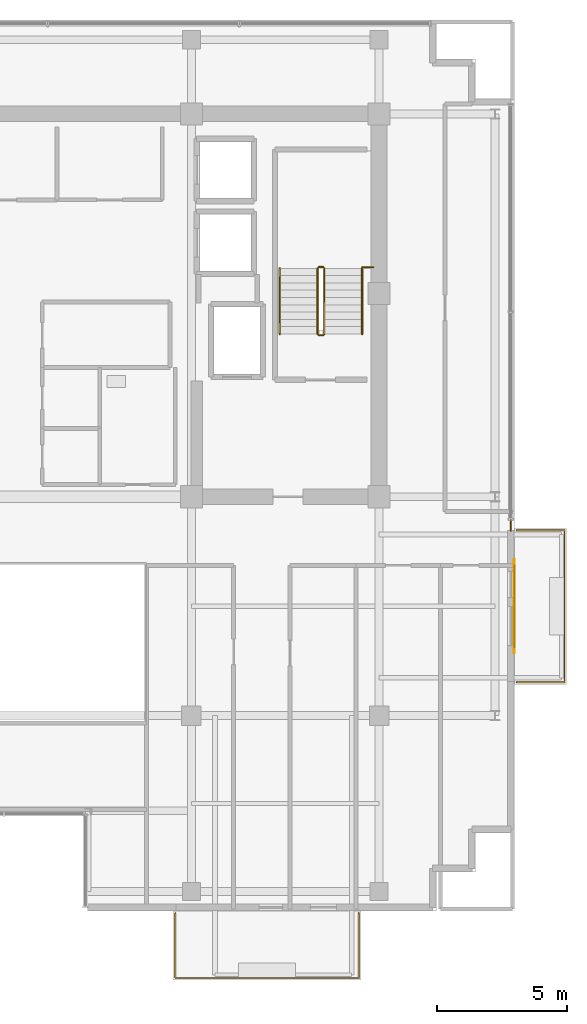
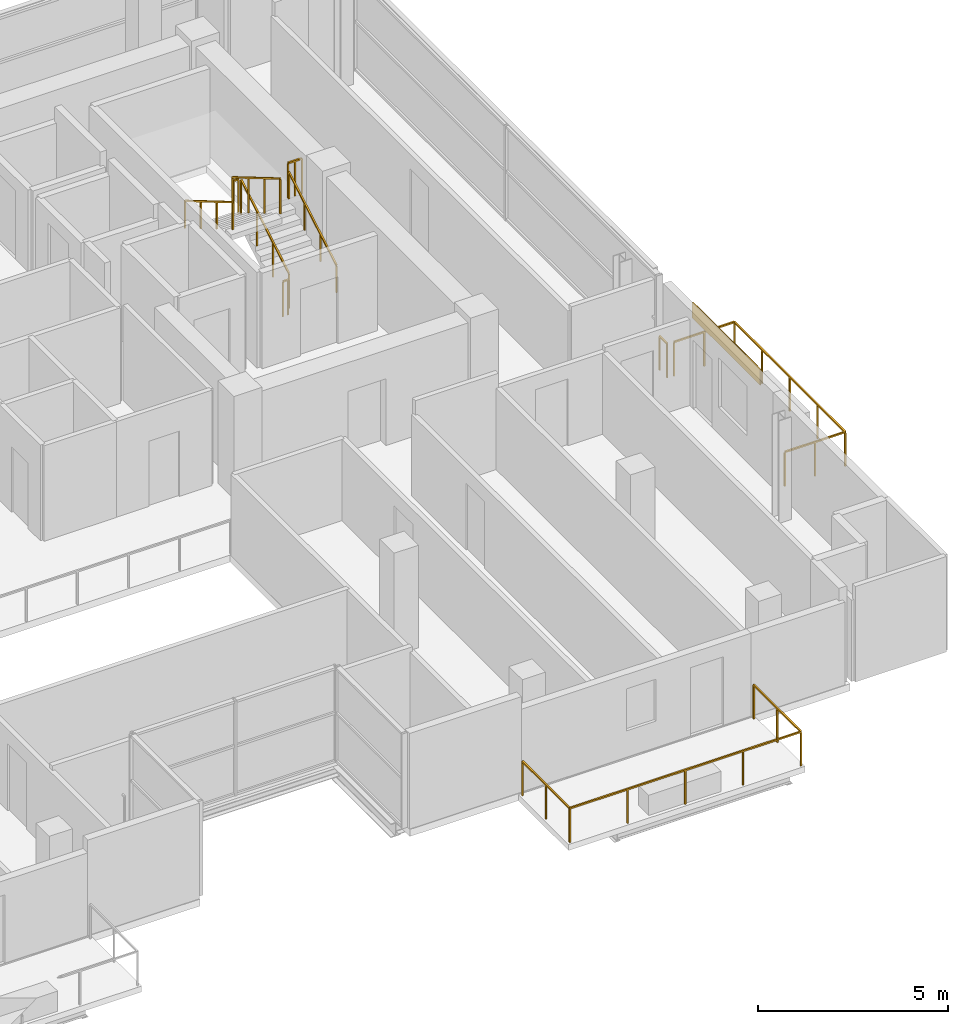
# One storey, part 21 of 22: 10 railings, 1 covering, 1 shading device.
"""IFC4 building model written with IfcOpenShell, lengths in metres."""

from ifc_helpers import new_model, si_unit, direction, frame, origin, origin_2d, place, context, subcontext, project, spatial, rectangle, extrude, source, transform, mapped, material, layer, layer_set, type_object, element, save


model = new_model("IFC4")

# Units and contexts
model_context = context("Model", 3, precision=1e-05, world=origin(), true_north=direction((0.0, 1.0)))
body_context = subcontext(model_context, "Body", "Model", "MODEL_VIEW")
ifc_project = project(units=[si_unit("LENGTHUNIT", "METRE"), si_unit("AREAUNIT", "SQUARE_METRE"), si_unit("VOLUMEUNIT", "CUBIC_METRE"), si_unit("PLANEANGLEUNIT", "RADIAN"), si_unit("MASSUNIT", "GRAM", prefix="KILO")], contexts=[model_context])

# Site, building, storey
site_placement = place(None, origin())
site = spatial("IfcSite", under=ifc_project, at=site_placement, CompositionType="ELEMENT")
building_placement = place(site_placement, origin())
building = spatial("IfcBuilding", under=site, at=building_placement, Name="Zarnakvel Exchange Tower", CompositionType="ELEMENT")
storey_placement = place(building_placement, frame((0.0, 0.0, 225.39990234375)))
storey = spatial("IfcBuildingStorey", under=building, at=storey_placement, Name="L63", CompositionType="ELEMENT", Elevation=225.39990234375)

# Railings
ifc_material_1 = material(Name="Architectural Bronze Anodised Aluminium", Category="aluminium")
railing_type_1 = type_object("IfcRailingType", Name="GR-02", PredefinedType="GUARDRAIL", material=ifc_material_1)
railing_1_placement = place(storey_placement, frame((6.580078125, -17.179931640625, -0.034912109375)))
element("IfcRailing", 1, at=railing_1_placement, inside=storey, type_object=railing_type_1, Name="L63 Balcony Guardrail BAL-L63-SE", PredefinedType="GUARDRAIL", context=body_context, shape_type="SweptSolid", body=[
    extrude(rectangle(XDim=0.048095703125, YDim=0.048095703125, at=origin_2d()), frame((0.0, 0.0, 1.09619140625), z_axis=(0.0, -1.0, 0.0), x_axis=(1.0, 0.0, 0.0)), (0.0, 0.0, 1.0), 2.489990234375),
    extrude(rectangle(XDim=0.048095703125, YDim=0.048095703125, at=origin_2d()), frame((0.0, -2.489990234375, 1.09619140625), z_axis=(1.0, 0.0, 0.0), x_axis=(0.0, 1.0, 0.0)), (0.0, 0.0, 1.0), 7.0400390625),
    extrude(rectangle(XDim=0.048095703125, YDim=0.048095703125, at=origin_2d()), frame((7.0400390625, -2.489990234375, 1.09619140625), z_axis=(0.0, 1.0, 0.0), x_axis=(-1.0, 0.0, 0.0)), (0.0, 0.0, 1.0), 2.489990234375),
    extrude(rectangle(XDim=0.0419921875, YDim=0.0419921875, at=origin_2d()), origin(), (0.0, 0.0, 1.0), 1.072021484375),
    extrude(rectangle(XDim=0.0419921875, YDim=0.0419921875, at=origin_2d()), frame((0.0, -1.2451171875, 0.0)), (0.0, 0.0, 1.0), 1.072021484375),
    extrude(rectangle(XDim=0.0419921875, YDim=0.0419921875, at=origin_2d()), frame((0.0, -2.489990234375, 0.0)), (0.0, 0.0, 1.0), 1.072021484375),
    extrude(rectangle(XDim=0.0419921875, YDim=0.0419921875, at=origin_2d()), frame((1.760009765625, -2.489990234375, 0.0)), (0.0, 0.0, 1.0), 1.072021484375),
    extrude(rectangle(XDim=0.0419921875, YDim=0.0419921875, at=origin_2d()), frame((3.52001953125, -2.489990234375, 0.0)), (0.0, 0.0, 1.0), 1.072021484375),
    extrude(rectangle(XDim=0.0419921875, YDim=0.0419921875, at=origin_2d()), frame((5.280029296875, -2.489990234375, 0.0)), (0.0, 0.0, 1.0), 1.072021484375),
    extrude(rectangle(XDim=0.0419921875, YDim=0.0419921875, at=origin_2d()), frame((7.0400390625, -2.489990234375, 0.0)), (0.0, 0.0, 1.0), 1.072021484375),
    extrude(rectangle(XDim=0.0419921875, YDim=0.0419921875, at=origin_2d()), frame((7.0400390625, -1.2451171875, 0.0)), (0.0, 0.0, 1.0), 1.072021484375),
    extrude(rectangle(XDim=0.0419921875, YDim=0.0419921875, at=origin_2d()), frame((7.0400390625, 0.0, 0.0)), (0.0, 0.0, 1.0), 1.072021484375),
])
railing_2_placement = place(storey_placement, frame((19.679931640625, -8.320068359375, -0.034912109375)))
element("IfcRailing", 2, at=railing_2_placement, inside=storey, type_object=railing_type_1, Name="L63 Balcony Guardrail BAL-L63-E", PredefinedType="GUARDRAIL", context=body_context, shape_type="SweptSolid", body=[
    extrude(rectangle(XDim=0.048095703125, YDim=0.048095703125, at=origin_2d()), frame((0.0, 0.0, 1.09619140625), z_axis=(1.0, 0.0, 0.0), x_axis=(0.0, 1.0, 0.0)), (0.0, 0.0, 1.0), 1.840087890625),
    extrude(rectangle(XDim=0.048095703125, YDim=0.048095703125, at=origin_2d()), frame((1.840087890625, 0.0, 1.09619140625), z_axis=(0.0, 1.0, 0.0), x_axis=(-1.0, 0.0, 0.0)), (0.0, 0.0, 1.0), 5.840087890625),
    extrude(rectangle(XDim=0.048095703125, YDim=0.048095703125, at=origin_2d()), frame((1.840087890625, 5.840087890625, 1.09619140625), z_axis=(-1.0, 0.0, 0.0), x_axis=(0.0, -1.0, 0.0)), (0.0, 0.0, 1.0), 1.840087890625),
    extrude(rectangle(XDim=0.0419921875, YDim=0.0419921875, at=origin_2d()), origin(), (0.0, 0.0, 1.0), 1.072021484375),
    extrude(rectangle(XDim=0.0419921875, YDim=0.0419921875, at=origin_2d()), frame((0.919921875, 0.0, 0.0)), (0.0, 0.0, 1.0), 1.072021484375),
    extrude(rectangle(XDim=0.0419921875, YDim=0.0419921875, at=origin_2d()), frame((1.840087890625, 0.0, 0.0)), (0.0, 0.0, 1.0), 1.072021484375),
    extrude(rectangle(XDim=0.0419921875, YDim=0.0419921875, at=origin_2d()), frame((1.840087890625, 1.4599609375, 0.0)), (0.0, 0.0, 1.0), 1.072021484375),
    extrude(rectangle(XDim=0.0419921875, YDim=0.0419921875, at=origin_2d()), frame((1.840087890625, 2.919921875, 0.0)), (0.0, 0.0, 1.0), 1.072021484375),
    extrude(rectangle(XDim=0.0419921875, YDim=0.0419921875, at=origin_2d()), frame((1.840087890625, 4.380126953125, 0.0)), (0.0, 0.0, 1.0), 1.072021484375),
    extrude(rectangle(XDim=0.0419921875, YDim=0.0419921875, at=origin_2d()), frame((1.840087890625, 5.840087890625, 0.0)), (0.0, 0.0, 1.0), 1.072021484375),
    extrude(rectangle(XDim=0.0419921875, YDim=0.0419921875, at=origin_2d()), frame((0.919921875, 5.840087890625, 0.0)), (0.0, 0.0, 1.0), 1.072021484375),
    extrude(rectangle(XDim=0.0419921875, YDim=0.0419921875, at=origin_2d()), frame((0.0, 5.840087890625, 0.0)), (0.0, 0.0, 1.0), 1.072021484375),
])
railing_3_placement = place(storey_placement, frame((19.4599609375, -2.10009765625, 0.0)))
element("IfcRailing", 3, at=railing_3_placement, inside=storey, type_object=railing_type_1, Name="L63 Corner Spandrel Balustrade #9", PredefinedType="GUARDRAIL", context=body_context, shape_type="SweptSolid", body=[
    extrude(rectangle(XDim=0.048095703125, YDim=0.048095703125, at=origin_2d()), frame((0.0, 0.0, 1.09619140625), z_axis=(0.0, -1.0, 0.0), x_axis=(1.0, 0.0, 0.0)), (0.0, 0.0, 1.0), 0.39990234375),
    extrude(rectangle(XDim=0.0419921875, YDim=0.0419921875, at=origin_2d()), origin(), (0.0, 0.0, 1.0), 1.072021484375),
    extrude(rectangle(XDim=0.0419921875, YDim=0.0419921875, at=origin_2d()), frame((0.0, -0.39990234375, 0.0)), (0.0, 0.0, 1.0), 1.072021484375),
])
ifc_material_2 = material(Name="Brushed Stainless Steel", Category="steel")
railing_type_2 = type_object("IfcRailingType", Name="HR-01", PredefinedType="HANDRAIL", material=ifc_material_2)
railing_4_placement = place(storey_placement, frame((13.75, 5.050048828125, 0.1650390625)))
element("IfcRailing", 4, at=railing_4_placement, inside=storey, type_object=railing_type_2, Name="L63 ST-02 stair handrail 1", PredefinedType="HANDRAIL", context=body_context, shape_type="SweptSolid", body=[
    extrude(rectangle(XDim=0.048095703125, YDim=0.048095703125, at=origin_2d()), frame((0.0, 0.0, 0.8759765625), z_axis=(0.0, 0.86152411907, 0.507716645641), x_axis=(-1.0, 0.0, 0.0)), (0.0, 0.0, 1.0), 2.925048828125),
    extrude(rectangle(XDim=0.0419921875, YDim=0.0419921875, at=origin_2d()), origin(), (0.0, 0.0, 1.0), 0.851806640625),
    extrude(rectangle(XDim=0.0419921875, YDim=0.0419921875, at=origin_2d()), frame((0.0, 0.840087890625, 0.4951171875)), (0.0, 0.0, 1.0), 0.851806640625),
    extrude(rectangle(XDim=0.0419921875, YDim=0.0419921875, at=origin_2d()), frame((0.0, 1.679931640625, 0.989990234375)), (0.0, 0.0, 1.0), 0.851806640625),
    extrude(rectangle(XDim=0.0419921875, YDim=0.0419921875, at=origin_2d()), frame((0.0, 2.52001953125, 1.485107421875)), (0.0, 0.0, 1.0), 0.851806640625),
])
railing_5_placement = place(storey_placement, frame((10.590087890625, 7.570068359375, 1.815185546875)))
element("IfcRailing", 5, at=railing_5_placement, inside=storey, type_object=railing_type_2, Name="L63 ST-02 stair handrail 2", PredefinedType="HANDRAIL", context=body_context, shape_type="SweptSolid", body=[
    extrude(rectangle(XDim=0.048095703125, YDim=0.048095703125, at=origin_2d()), frame((0.0, 0.0, 0.8759765625), z_axis=(0.0, -0.861560626758, 0.507654692109), x_axis=(1.0, 0.0, 0.0)), (0.0, 0.0, 1.0), 2.925048828125),
    extrude(rectangle(XDim=0.0419921875, YDim=0.0419921875, at=origin_2d()), origin(), (0.0, 0.0, 1.0), 0.851806640625),
    extrude(rectangle(XDim=0.0419921875, YDim=0.0419921875, at=origin_2d()), frame((0.0, -0.840087890625, 0.494873046875)), (0.0, 0.0, 1.0), 0.851806640625),
    extrude(rectangle(XDim=0.0419921875, YDim=0.0419921875, at=origin_2d()), frame((0.0, -1.679931640625, 0.989990234375)), (0.0, 0.0, 1.0), 0.851806640625),
    extrude(rectangle(XDim=0.0419921875, YDim=0.0419921875, at=origin_2d()), frame((0.0, -2.52001953125, 1.48486328125)), (0.0, 0.0, 1.0), 0.851806640625),
])
railing_type_3 = type_object("IfcRailingType", Name="SG-01", PredefinedType="GUARDRAIL", material=ifc_material_1)
railing_6_placement = place(storey_placement, frame((12.300048828125, 5.050048828125, 0.1650390625)))
element("IfcRailing", 6, at=railing_6_placement, inside=storey, type_object=railing_type_3, Name="L63 ST-02 stair guard 1", PredefinedType="GUARDRAIL", context=body_context, shape_type="SweptSolid", body=[
    extrude(rectangle(XDim=0.048095703125, YDim=0.048095703125, at=origin_2d()), frame((0.0, 0.0, 1.1259765625), z_axis=(0.0, 0.86152411907, 0.507716645641), x_axis=(-1.0, 0.0, 0.0)), (0.0, 0.0, 1.0), 2.925048828125),
    extrude(rectangle(XDim=0.0419921875, YDim=0.0419921875, at=origin_2d()), origin(), (0.0, 0.0, 1.0), 1.101806640625),
    extrude(rectangle(XDim=0.0419921875, YDim=0.0419921875, at=origin_2d()), frame((0.0, 0.840087890625, 0.4951171875)), (0.0, 0.0, 1.0), 1.101806640625),
    extrude(rectangle(XDim=0.0419921875, YDim=0.0419921875, at=origin_2d()), frame((0.0, 1.679931640625, 0.989990234375)), (0.0, 0.0, 1.0), 1.101806640625),
    extrude(rectangle(XDim=0.0419921875, YDim=0.0419921875, at=origin_2d()), frame((0.0, 2.52001953125, 1.485107421875)), (0.0, 0.0, 1.0), 1.101806640625),
])
railing_7_placement = place(storey_placement, frame((12.25, 7.6201171875, 1.650146484375)))
element("IfcRailing", 7, at=railing_7_placement, inside=storey, type_object=railing_type_3, Name="L63 ST-02 stair guard 2", PredefinedType="GUARDRAIL", context=body_context, shape_type="SweptSolid", body=[
    extrude(rectangle(XDim=0.048095703125, YDim=0.048095703125, at=origin_2d()), frame((0.0, 0.0, 1.1259765625), z_axis=(-1.0, 0.0, 0.0), x_axis=(0.0, -1.0, 0.0)), (0.0, 0.0, 1.0), 0.159912109375),
    extrude(rectangle(XDim=0.0419921875, YDim=0.0419921875, at=origin_2d()), origin(), (0.0, 0.0, 1.0), 1.101806640625),
    extrude(rectangle(XDim=0.0419921875, YDim=0.0419921875, at=origin_2d()), frame((-0.159912109375, 0.0, 0.0)), (0.0, 0.0, 1.0), 1.101806640625),
])
railing_8_placement = place(storey_placement, frame((12.0400390625, 7.570068359375, 1.815185546875)))
element("IfcRailing", 8, at=railing_8_placement, inside=storey, type_object=railing_type_3, Name="L63 ST-02 stair guard 3", PredefinedType="GUARDRAIL", context=body_context, shape_type="SweptSolid", body=[
    extrude(rectangle(XDim=0.048095703125, YDim=0.048095703125, at=origin_2d()), frame((0.0, 0.0, 1.1259765625), z_axis=(0.0, -0.861560626758, 0.507654692109), x_axis=(1.0, 0.0, 0.0)), (0.0, 0.0, 1.0), 2.925048828125),
    extrude(rectangle(XDim=0.0419921875, YDim=0.0419921875, at=origin_2d()), origin(), (0.0, 0.0, 1.0), 1.101806640625),
    extrude(rectangle(XDim=0.0419921875, YDim=0.0419921875, at=origin_2d()), frame((0.0, -0.840087890625, 0.494873046875)), (0.0, 0.0, 1.0), 1.101806640625),
    extrude(rectangle(XDim=0.0419921875, YDim=0.0419921875, at=origin_2d()), frame((0.0, -1.679931640625, 0.989990234375)), (0.0, 0.0, 1.0), 1.101806640625),
    extrude(rectangle(XDim=0.0419921875, YDim=0.0419921875, at=origin_2d()), frame((0.0, -2.52001953125, 1.48486328125)), (0.0, 0.0, 1.0), 1.101806640625),
])
railing_9_placement = place(storey_placement, frame((12.25, 5.0, 0.0)))
element("IfcRailing", 9, at=railing_9_placement, inside=storey, type_object=railing_type_3, Name="L63 ST-02 stair guard 4", PredefinedType="GUARDRAIL", context=body_context, shape_type="SweptSolid", body=[
    extrude(rectangle(XDim=0.048095703125, YDim=0.048095703125, at=origin_2d()), frame((0.0, 0.0, 1.1259765625), z_axis=(-1.0, 0.0, 0.0), x_axis=(0.0, -1.0, 0.0)), (0.0, 0.0, 1.0), 0.159912109375),
    extrude(rectangle(XDim=0.0419921875, YDim=0.0419921875, at=origin_2d()), origin(), (0.0, 0.0, 1.0), 1.101806640625),
    extrude(rectangle(XDim=0.0419921875, YDim=0.0419921875, at=origin_2d()), frame((-0.159912109375, 0.0, 0.0)), (0.0, 0.0, 1.0), 1.101806640625),
])
railing_10_placement = place(storey_placement, frame((13.75, 7.610107421875, 1.650146484375)))
element("IfcRailing", 10, at=railing_10_placement, inside=storey, type_object=railing_type_3, Name="L63 ST-02 Landing Slot Guardrail", PredefinedType="GUARDRAIL", context=body_context, shape_type="SweptSolid", body=[
    extrude(rectangle(XDim=0.048095703125, YDim=0.048095703125, at=origin_2d()), frame((0.0, 0.0, 1.1259765625), z_axis=(1.0, 0.0, 0.0), x_axis=(0.0, 1.0, 0.0)), (0.0, 0.0, 1.0), 0.429931640625),
    extrude(rectangle(XDim=0.0419921875, YDim=0.0419921875, at=origin_2d()), origin(), (0.0, 0.0, 1.0), 1.101806640625),
    extrude(rectangle(XDim=0.0419921875, YDim=0.0419921875, at=origin_2d()), frame((0.21484375, 0.0, 0.0)), (0.0, 0.0, 1.0), 1.101806640625),
    extrude(rectangle(XDim=0.0419921875, YDim=0.0419921875, at=origin_2d()), frame((0.429931640625, 0.0, 0.0)), (0.0, 0.0, 1.0), 1.101806640625),
])

# Covering
ifc_material_3 = material(Name="Warm Sandstone Terracotta Spandrel Tile", Category="masonry")
ifc_layer_1 = layer(ifc_material_3, 0.031982421875)
ifc_layer_set_1 = layer_set([ifc_layer_1], Name="Warm Sandstone Terracotta Spandrel Tile")
covering_type = type_object("IfcCoveringType", Name="CL-02", PredefinedType="CLADDING", material=ifc_layer_set_1)
shared_shape_1 = source(origin(), body_context, "Body", "SweptSolid", [
    extrude(rectangle(XDim=3.60009765625, YDim=0.031982421875, at=origin_2d()), origin(), (0.0, 0.0, 1.0), 0.4951171875),
])
covering_placement = place(storey_placement, frame((19.593994140625, -5.39990234375, 2.56005859375), z_axis=(0.0, 0.0, 1.0), x_axis=(0.0, -1.0, 0.0)))
element("IfcCovering", 11, at=covering_placement, inside=storey, type_object=covering_type, Name="L63 Ceramic Spandrel Tilework CL-02", PredefinedType="CLADDING", context=body_context, shape_type="MappedRepresentation", body=[
    mapped(shared_shape_1, transform((0.0, 0.0, 0.0), x_axis=(1.0, 0.0, 0.0), y_axis=(0.0, 1.0, 0.0), z_axis=(0.0, 0.0, 1.0), scale=1.0)),
])

# Shading device
ifc_material_4 = material(Name="Perforated Architectural Bronze Screen", Category="aluminium")
ifc_layer_2 = layer(ifc_material_4, 0.044921875)
ifc_layer_set_2 = layer_set([ifc_layer_2], Name="Perforated Architectural Bronze Screen")
shading_device_type = type_object("IfcShadingDeviceType", Name="SS-01", PredefinedType="JALOUSIE", material=ifc_layer_set_2)
shared_shape_2 = source(origin(), body_context, "Body", "SweptSolid", [
    extrude(rectangle(XDim=3.199951171875, YDim=0.044921875, at=origin_2d()), origin(), (0.0, 0.0, 1.0), 0.4951171875),
])
shading_device_placement = place(storey_placement, frame((19.6005859375, -5.39990234375, 2.56005859375), z_axis=(0.0, 0.0, 1.0), x_axis=(0.0, -1.0, 0.0)))
element("IfcShadingDevice", 12, at=shading_device_placement, inside=storey, type_object=shading_device_type, Name="L63 Bronze Solar Shading Screen SS-01", PredefinedType="JALOUSIE", context=body_context, shape_type="MappedRepresentation", body=[
    mapped(shared_shape_2, transform((0.0, 0.0, 0.0), x_axis=(1.0, 0.0, 0.0), y_axis=(0.0, 1.0, 0.0), z_axis=(0.0, 0.0, 1.0), scale=1.0)),
])

save(model, "model.ifc")
